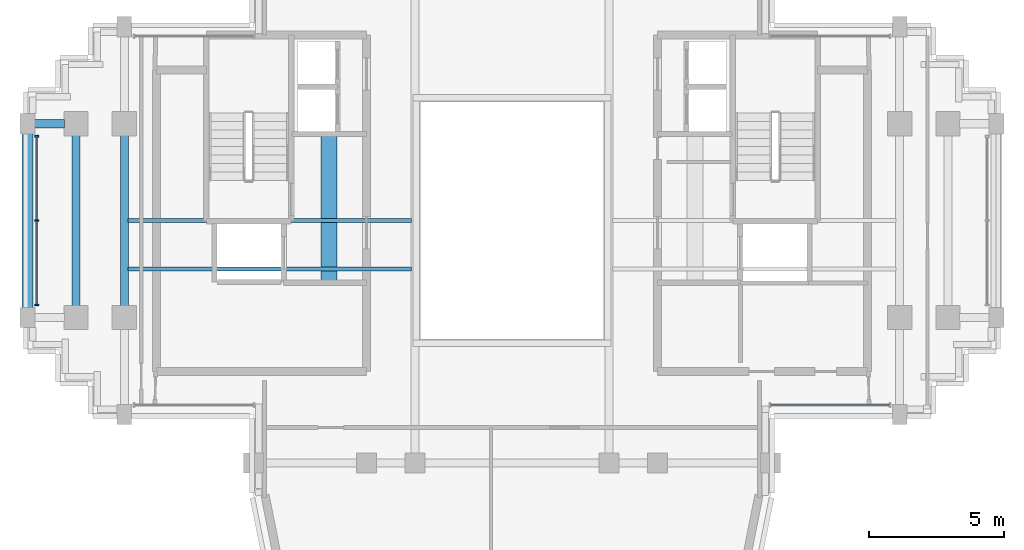
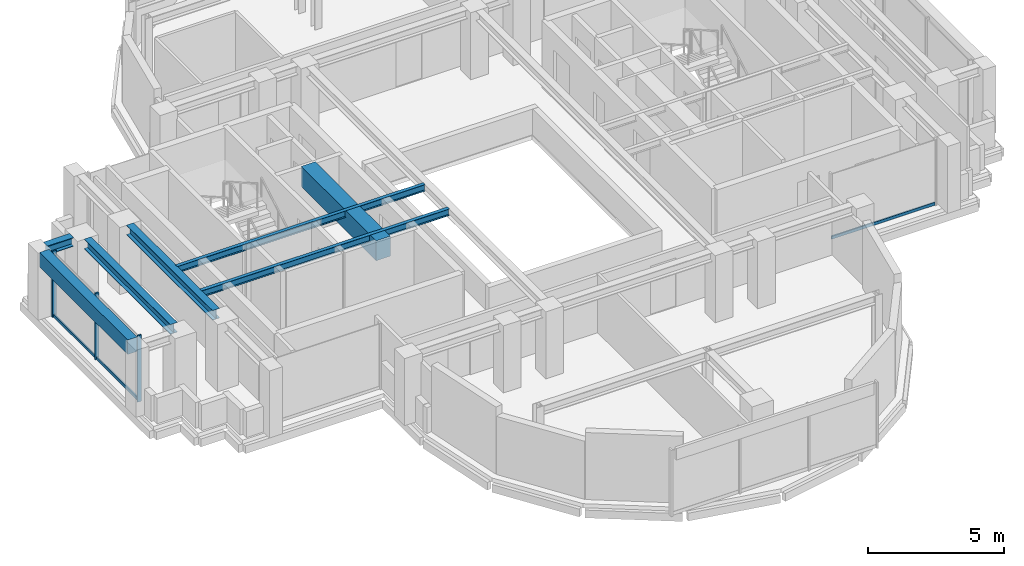
# One storey, part 4 of 12: 7 beams, 6 members, 2 elements without a shape of their own.
"""IFC4 building model written with IfcOpenShell, lengths in metres."""

from ifc_helpers import new_model, si_unit, direction, frame, origin, origin_2d, place, context, subcontext, project, spatial, rectangle, i_section, extrude, source, transform, mapped, material, material_profile, profile_set, type_object, element, aggregate, save


model = new_model("IFC4")

# Units and contexts
model_context = context("Model", 3, precision=1e-05, world=origin(), true_north=direction((0.0, 1.0)))
body_context = subcontext(model_context, "Body", "Model", "MODEL_VIEW")
ifc_project = project(units=[si_unit("LENGTHUNIT", "METRE"), si_unit("AREAUNIT", "SQUARE_METRE"), si_unit("VOLUMEUNIT", "CUBIC_METRE"), si_unit("PLANEANGLEUNIT", "RADIAN"), si_unit("MASSUNIT", "GRAM", prefix="KILO")], contexts=[model_context])

# Site, building, storey
site_placement = place(None, origin())
site = spatial("IfcSite", under=ifc_project, at=site_placement, CompositionType="ELEMENT")
building_placement = place(site_placement, origin())
building = spatial("IfcBuilding", under=site, at=building_placement, Name="Keilestroom Media Tower", CompositionType="ELEMENT")
storey_placement = place(building_placement, frame((0.0, 0.0, 236.39990234375)))
storey = spatial("IfcBuildingStorey", under=building, at=storey_placement, Name="L65", CompositionType="ELEMENT", Elevation=236.39990234375)

# Beams
ifc_material_1 = material(Name="Concrete C70/85", Category="concrete")
ifc_material_profile_1 = material_profile(ifc_material_1, rectangle(XDim=0.60009765625, YDim=0.89990234375, at=origin_2d()), Name="RC 600x900")
ifc_profile_set_1 = profile_set([ifc_material_profile_1], Name="Concrete C70/85")
beam_type_1 = type_object("IfcBeamType", Name="Core-Coupling-Lintel-Beam-RC-600x900", PredefinedType="LINTEL", material=ifc_profile_set_1)
shared_shape_1 = source(origin(), body_context, "Body", "SweptSolid", [
    extrude(rectangle(XDim=0.60009765625, YDim=0.89990234375, at=origin_2d()), origin(), (0.0, 0.0, 1.0), 5.52001953125),
])
beam_1_placement = place(storey_placement, frame((-6.800048828125, -2.300048828125, 2.56005859375), z_axis=(0.0, 1.0, 0.0), x_axis=(-1.0, 0.0, 0.0)))
element("IfcBeam", 1, at=beam_1_placement, inside=storey, type_object=beam_type_1, Name="L65 Beam CLB-1 CLB-L65-W", PredefinedType="LINTEL", context=body_context, shape_type="MappedRepresentation", body=[
    mapped(shared_shape_1, transform((0.0, 0.0, 0.0), x_axis=(1.0, 0.0, 0.0), y_axis=(0.0, 1.0, 0.0), z_axis=(0.0, 0.0, 1.0), scale=1.0)),
])
ifc_material_2 = material(Name="Steel S355", Category="steel")
ifc_material_profile_2 = material_profile(ifc_material_2, i_section(OverallWidth=0.300048828125, OverallDepth=0.39990234375, WebThickness=0.011474609375, FlangeThickness=0.02392578125, at=origin_2d()), Name="HEB 400")
ifc_profile_set_2 = profile_set([ifc_material_profile_2], Name="Steel S355")
beam_type_2 = type_object("IfcBeamType", Name="Primary-Structural-Girder-HEB-400", PredefinedType="BEAM", material=ifc_profile_set_2)
shared_shape_2 = source(origin(), body_context, "Body", "SweptSolid", [
    extrude(i_section(OverallWidth=0.300048828125, OverallDepth=0.39990234375, WebThickness=0.011474609375, FlangeThickness=0.02392578125, at=origin_2d()), origin(), (0.0, 0.0, 1.0), 1.115234375),
])
beam_2_placement = place(storey_placement, frame((-17.7451171875, 3.60009765625, 2.81005859375), z_axis=(1.0, 0.0, 0.0), x_axis=(0.0, 1.0, 0.0)))
element("IfcBeam", 2, at=beam_2_placement, inside=storey, type_object=beam_type_2, Name="L65 Beam BG-8 BM-L65-EW-012", PredefinedType="BEAM", context=body_context, shape_type="MappedRepresentation", body=[
    mapped(shared_shape_2, transform((0.0, 0.0, 0.0), x_axis=(1.0, 0.0, 0.0), y_axis=(0.0, 1.0, 0.0), z_axis=(0.0, 0.0, 1.0), scale=1.0)),
])
ifc_material_3 = material(Name="Precast concrete C40/50", Category="concrete")
ifc_material_profile_3 = material_profile(ifc_material_3, rectangle(XDim=0.39990234375, YDim=0.64990234375, at=origin_2d()), Name="PC 400x650")
ifc_profile_set_3 = profile_set([ifc_material_profile_3], Name="Precast concrete C40/50")
beam_type_3 = type_object("IfcBeamType", Name="Perimeter-Spandrel-Beam-PC-400x650", PredefinedType="SPANDREL", material=ifc_profile_set_3)
shared_shape_3 = source(origin(), body_context, "Body", "SweptSolid", [
    extrude(rectangle(XDim=0.39990234375, YDim=0.64990234375, at=origin_2d()), origin(), (0.0, 0.0, 1.0), 6.490234375),
])
beam_3_placement = place(storey_placement, frame((-18.0, -3.2451171875, 2.68505859375), z_axis=(0.0, 1.0, 0.0), x_axis=(-1.0, 0.0, 0.0)))
element("IfcBeam", 3, at=beam_3_placement, inside=storey, type_object=beam_type_3, Name="L65 Beam SPB-2 BM-L65-NS-025", PredefinedType="SPANDREL", context=body_context, shape_type="MappedRepresentation", body=[
    mapped(shared_shape_3, transform((0.0, 0.0, 0.0), x_axis=(1.0, 0.0, 0.0), y_axis=(0.0, 1.0, 0.0), z_axis=(0.0, 0.0, 1.0), scale=1.0)),
])
ifc_material_profile_4 = material_profile(ifc_material_2, i_section(OverallWidth=0.300048828125, OverallDepth=0.43994140625, WebThickness=0.011474609375, FlangeThickness=0.02099609375, at=origin_2d()), Name="HEA 450")
ifc_profile_set_4 = profile_set([ifc_material_profile_4], Name="Steel S355")
beam_type_4 = type_object("IfcBeamType", Name="Primary-Structural-Girder-HEA-450", PredefinedType="BEAM", material=ifc_profile_set_4)
shared_shape_4 = source(origin(), body_context, "Body", "SweptSolid", [
    extrude(i_section(OverallWidth=0.300048828125, OverallDepth=0.43994140625, WebThickness=0.011474609375, FlangeThickness=0.02099609375, at=origin_2d()), origin(), (0.0, 0.0, 1.0), 6.33984375),
])
for number, where, z_axis, x_axis, name in (
    (4, (-16.199951171875, -3.169921875, 2.7900390625), (0.0, 1.0, 0.0), (-1.0, 0.0, 0.0), "L65 Beam BG-11 BM-L65-NS-026"),
    (5, (-14.39990234375, -3.169921875, 2.7900390625), (0.0, 1.0, 0.0), (-1.0, 0.0, 0.0), "L65 Beam BG-11 BM-L65-NS-028"),
):
    element("IfcBeam", number, at=place(storey_placement, frame(where, z_axis=z_axis, x_axis=x_axis)), inside=storey, type_object=beam_type_4, Name=name, PredefinedType="BEAM", context=body_context, shape_type="MappedRepresentation", body=[
        mapped(shared_shape_4, transform((0.0, 0.0, 0.0), x_axis=(1.0, 0.0, 0.0), y_axis=(0.0, 1.0, 0.0), z_axis=(0.0, 0.0, 1.0), scale=1.0)),
    ])
ifc_material_profile_5 = material_profile(ifc_material_2, i_section(OverallWidth=0.14990234375, OverallDepth=0.300048828125, WebThickness=0.007080078125, FlangeThickness=0.0107421875, at=origin_2d()), Name="IPE 300")
ifc_profile_set_5 = profile_set([ifc_material_profile_5], Name="Steel S355")
beam_type_5 = type_object("IfcBeamType", Name="Secondary-Floor-Joist-IPE-300", PredefinedType="JOIST", material=ifc_profile_set_5)
shared_shape_5 = source(origin(), body_context, "Body", "SweptSolid", [
    extrude(i_section(OverallWidth=0.14990234375, OverallDepth=0.300048828125, WebThickness=0.007080078125, FlangeThickness=0.0107421875, at=origin_2d()), origin(), (0.0, 0.0, 1.0), 10.5400390625),
])
for number, where, z_axis, x_axis, name in (
    (6, (-14.27001953125, -1.800048828125, 2.860107421875), (1.0, 0.0, 0.0), (0.0, 1.0, 0.0), "L65 Beam BJ-7 JST-L65-045"),
    (7, (-14.27001953125, 0.0, 2.860107421875), (1.0, 0.0, 0.0), (0.0, 1.0, 0.0), "L65 Beam BJ-7 JST-L65-048"),
):
    element("IfcBeam", number, at=place(storey_placement, frame(where, z_axis=z_axis, x_axis=x_axis)), inside=storey, type_object=beam_type_5, Name=name, PredefinedType="JOIST", context=body_context, shape_type="MappedRepresentation", body=[
        mapped(shared_shape_5, transform((0.0, 0.0, 0.0), x_axis=(1.0, 0.0, 0.0), y_axis=(0.0, 1.0, 0.0), z_axis=(0.0, 0.0, 1.0), scale=1.0)),
    ])

# Curtain wall, members
ifc_material_4 = material(Name="Anodised Aluminium Alloy", Category="aluminium")
curtain_wall_type = type_object("IfcCurtainWallType", Name="Unitised-Curtain-Wall-CW-4", PredefinedType="NOTDEFINED", material=ifc_material_4)
curtain_wall_1_placement = place(storey_placement, origin())
curtain_wall_1 = element("IfcCurtainWall", 8, at=curtain_wall_1_placement, inside=storey, type_object=curtain_wall_type, Name="L65 Curtain Wall CW-4 CW-L65-W-1", PredefinedType="NOTDEFINED")
ifc_material_profile_6 = material_profile(ifc_material_4, rectangle(XDim=0.06005859375, YDim=0.159912109375, at=origin_2d()), Name="ALU MULLION 60x160")
ifc_profile_set_6 = profile_set([ifc_material_profile_6], Name="Anodised Aluminium Alloy")
member_type_1 = type_object("IfcMemberType", Name="Curtain-Wall-Mullion-CW-4", PredefinedType="MULLION", material=ifc_profile_set_6)
shared_shape_6 = source(origin(), body_context, "Body", "SweptSolid", [
    extrude(rectangle(XDim=0.06005859375, YDim=0.159912109375, at=origin_2d()), origin(), (0.0, 0.0, 1.0), 2.97998046875),
])
member_1_placement = place(storey_placement, frame((-17.64990234375, -3.135009765625, 0.0), z_axis=(0.0, 0.0, 1.0), x_axis=(0.0, 1.0, 0.0)))
member_1 = element("IfcMember", 9, at=member_1_placement, type_object=member_type_1, Name="CW-4 Mullion 00", PredefinedType="MULLION", context=body_context, shape_type="MappedRepresentation", body=[
    mapped(shared_shape_6, transform((0.0, 0.0, 0.0), x_axis=(1.0, 0.0, 0.0), y_axis=(0.0, 1.0, 0.0), z_axis=(0.0, 0.0, 1.0), scale=1.0)),
])
member_2_placement = place(storey_placement, frame((-17.64990234375, 0.0, 0.0), z_axis=(0.0, 0.0, 1.0), x_axis=(0.0, 1.0, 0.0)))
member_2 = element("IfcMember", 10, at=member_2_placement, type_object=member_type_1, Name="CW-4 Mullion 01", PredefinedType="MULLION", context=body_context, shape_type="MappedRepresentation", body=[
    mapped(shared_shape_6, transform((0.0, 0.0, 0.0), x_axis=(1.0, 0.0, 0.0), y_axis=(0.0, 1.0, 0.0), z_axis=(0.0, 0.0, 1.0), scale=1.0)),
])
member_3_placement = place(storey_placement, frame((-17.64990234375, 3.135009765625, 0.0), z_axis=(0.0, 0.0, 1.0), x_axis=(0.0, 1.0, 0.0)))
member_3 = element("IfcMember", 11, at=member_3_placement, type_object=member_type_1, Name="CW-4 Mullion 02", PredefinedType="MULLION", context=body_context, shape_type="MappedRepresentation", body=[
    mapped(shared_shape_6, transform((0.0, 0.0, 0.0), x_axis=(1.0, 0.0, 0.0), y_axis=(0.0, 1.0, 0.0), z_axis=(0.0, 0.0, 1.0), scale=1.0)),
])
ifc_material_profile_7 = material_profile(ifc_material_4, rectangle(XDim=0.06005859375, YDim=0.1298828125, at=origin_2d()), Name="ALU TRANSOM 60x130")
ifc_profile_set_7 = profile_set([ifc_material_profile_7], Name="Anodised Aluminium Alloy")
member_type_2 = type_object("IfcMemberType", Name="Curtain-Wall-Transom-CW-4", PredefinedType="USERDEFINED", material=ifc_profile_set_7)
shared_shape_7 = source(origin(), body_context, "Body", "SweptSolid", [
    extrude(rectangle(XDim=0.06005859375, YDim=0.1298828125, at=origin_2d()), origin(), (0.0, 0.0, 1.0), 3.078857421875),
])
member_4_placement = place(storey_placement, frame((-17.64990234375, -3.10693359375, 0.065185546875), z_axis=(0.0, 1.0, 0.0), x_axis=(-1.0, 0.0, 0.0)))
member_4 = element("IfcMember", 12, at=member_4_placement, type_object=member_type_2, Name="CW-4 Transom 00.1", ObjectType="TRANSOM", PredefinedType="USERDEFINED", context=body_context, shape_type="MappedRepresentation", body=[
    mapped(shared_shape_7, transform((0.0, 0.0, 0.0), x_axis=(1.0, 0.0, 0.0), y_axis=(0.0, 1.0, 0.0), z_axis=(0.0, 0.0, 1.0), scale=1.0)),
])
member_5_placement = place(storey_placement, frame((-17.64990234375, 0.028076171875, 0.065185546875), z_axis=(0.0, 1.0, 0.0), x_axis=(-1.0, 0.0, 0.0)))
member_5 = element("IfcMember", 13, at=member_5_placement, type_object=member_type_2, Name="CW-4 Transom 01.1", ObjectType="TRANSOM", PredefinedType="USERDEFINED", context=body_context, shape_type="MappedRepresentation", body=[
    mapped(shared_shape_7, transform((0.0, 0.0, 0.0), x_axis=(1.0, 0.0, 0.0), y_axis=(0.0, 1.0, 0.0), z_axis=(0.0, 0.0, 1.0), scale=1.0)),
])
aggregate(curtain_wall_1, [member_1, member_2, member_3, member_4, member_5])

# Curtain wall, member
curtain_wall_2_placement = place(storey_placement, origin())
curtain_wall_2 = element("IfcCurtainWall", 14, at=curtain_wall_2_placement, inside=storey, type_object=curtain_wall_type, Name="L65 Curtain Wall CW-4 CW-L65-SE-1", PredefinedType="NOTDEFINED")
shared_shape_8 = source(origin(), body_context, "Body", "SweptSolid", [
    extrude(rectangle(XDim=0.06005859375, YDim=0.1298828125, at=origin_2d()), origin(), (0.0, 0.0, 1.0), 4.399169921875),
])
member_6_placement = place(storey_placement, frame((9.60791015625, -6.85009765625, 0.065185546875), z_axis=(1.0, 0.0, 0.0), x_axis=(0.0, 1.0, 0.0)))
member_6 = element("IfcMember", 15, at=member_6_placement, type_object=member_type_2, Name="CW-4 Transom 00.1", ObjectType="TRANSOM", PredefinedType="USERDEFINED", context=body_context, shape_type="MappedRepresentation", body=[
    mapped(shared_shape_8, transform((0.0, 0.0, 0.0), x_axis=(1.0, 0.0, 0.0), y_axis=(0.0, 1.0, 0.0), z_axis=(0.0, 0.0, 1.0), scale=1.0)),
])
aggregate(curtain_wall_2, [member_6])

save(model, "model.ifc")
